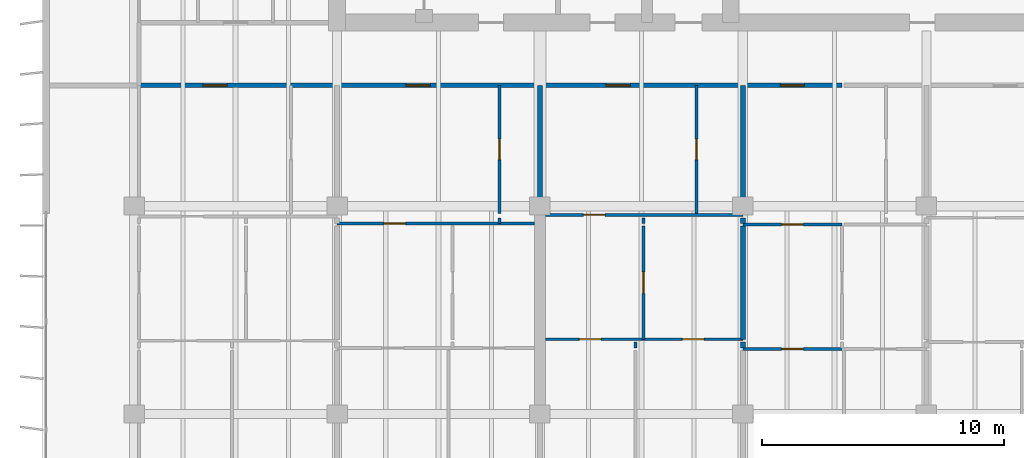
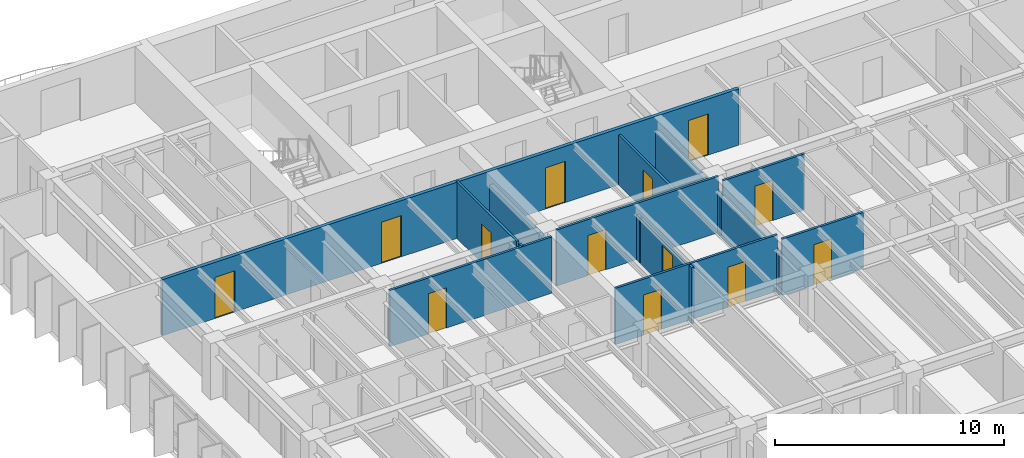
# One storey, part 9 of 19: 17 walls, 13 doors, 13 openings.
"""IFC4 building model written with IfcOpenShell, lengths in metres."""

from ifc_helpers import new_model, si_unit, direction, frame, frame_2d, origin, place, context, subcontext, project, spatial, rectangle, extrude, material, layer, layer_set, type_object, element, fill, save


model = new_model("IFC4")

# Units and contexts
model_context = context("Model", 3, precision=1e-05, world=origin(), true_north=direction((0.0, 1.0)))
body_context = subcontext(model_context, "Body", "Model", "MODEL_VIEW")
ifc_project = project(units=[si_unit("LENGTHUNIT", "METRE"), si_unit("AREAUNIT", "SQUARE_METRE"), si_unit("VOLUMEUNIT", "CUBIC_METRE"), si_unit("PLANEANGLEUNIT", "RADIAN"), si_unit("MASSUNIT", "GRAM", prefix="KILO")], contexts=[model_context])

# Site, building, storey
site_placement = place(None, origin())
site = spatial("IfcSite", under=ifc_project, at=site_placement, CompositionType="ELEMENT")
building_placement = place(site_placement, origin())
building = spatial("IfcBuilding", under=site, at=building_placement, Name="Caelmar Bay Residences", CompositionType="ELEMENT")
storey_placement = place(building_placement, frame((0.0, 0.0, 218.10009765625)))
storey = spatial("IfcBuildingStorey", under=building, at=storey_placement, Name="L61", CompositionType="ELEMENT", Elevation=218.10009765625)

# Wall, openings, doors
ifc_material_1 = material(Name="Double-stud acoustic fire-rated gypsum partition 180 mm")
ifc_layer_1 = layer(ifc_material_1, 0.179931640625)
ifc_layer_set_1 = layer_set([ifc_layer_1], Name="Double-stud acoustic fire-rated gypsum partition 180 mm")
wall_type_1 = type_object("IfcWallType", Name="W-COR-200", PredefinedType="PARTITIONING", material=ifc_layer_set_1)
wall_1_placement = place(storey_placement, frame((10.10498046875, 34.39990234375, 0.0), z_axis=(0.0, 0.0, 1.0), x_axis=(1.0, 0.0, 0.0)))
wall_1 = element("IfcWall", 1, at=wall_1_placement, inside=storey, type_object=wall_type_1, Name="L61 Partition Wall H127", PredefinedType="PARTITIONING", context=body_context, shape_type="SweptSolid", body=[
    extrude(rectangle(XDim=29.09912109375, YDim=0.179931640625, at=frame_2d((14.549560546875, 0.0))), origin(), (0.0, 0.0, 1.0), 3.0),
])
opening_1_placement = place(wall_1_placement, frame((2.6474609375, 0.0, 0.0)))
opening_1 = element("IfcOpeningElement", 2, at=opening_1_placement, cuts=wall_1, Name="Opening D-L61-120", PredefinedType="OPENING", context=body_context, shape_type="SweptSolid", body=[
    extrude(rectangle(XDim=1.0, YDim=2.199951171875, at=frame_2d((0.5, 1.10009765625))), frame((0.0, 0.099853515625, 0.0), z_axis=(0.0, -1.0, 0.0), x_axis=(1.0, 0.0, 0.0)), (0.0, 0.0, 1.0), 0.199951171875),
])
opening_2_placement = place(wall_1_placement, frame((11.055908203125, 0.0, 0.0)))
opening_2 = element("IfcOpeningElement", 3, at=opening_2_placement, cuts=wall_1, Name="Opening D-L61-127", PredefinedType="OPENING", context=body_context, shape_type="SweptSolid", body=[
    extrude(rectangle(XDim=1.0, YDim=2.199951171875, at=frame_2d((0.5, 1.10009765625))), frame((0.0, 0.099853515625, 0.0), z_axis=(0.0, -1.0, 0.0), x_axis=(1.0, 0.0, 0.0)), (0.0, 0.0, 1.0), 0.199951171875),
])
opening_3_placement = place(wall_1_placement, frame((19.333984375, 0.0, 0.0)))
opening_3 = element("IfcOpeningElement", 4, at=opening_3_placement, cuts=wall_1, Name="Opening D-L61-134", PredefinedType="OPENING", context=body_context, shape_type="SweptSolid", body=[
    extrude(rectangle(XDim=1.0, YDim=2.199951171875, at=frame_2d((0.5, 1.10009765625))), frame((0.0, 0.099853515625, 0.0), z_axis=(0.0, -1.0, 0.0), x_axis=(1.0, 0.0, 0.0)), (0.0, 0.0, 1.0), 0.199951171875),
])
opening_4_placement = place(wall_1_placement, frame((26.547119140625, 0.0, 0.0)))
opening_4 = element("IfcOpeningElement", 5, at=opening_4_placement, cuts=wall_1, Name="Opening D-L61-141", PredefinedType="OPENING", context=body_context, shape_type="SweptSolid", body=[
    extrude(rectangle(XDim=1.0, YDim=2.199951171875, at=frame_2d((0.5, 1.10009765625))), frame((0.0, 0.099853515625, 0.0), z_axis=(0.0, -1.0, 0.0), x_axis=(1.0, 0.0, 0.0)), (0.0, 0.0, 1.0), 0.199951171875),
])
ifc_material_2 = material(Name="Fire-rated steel and walnut architectural door assembly", Category="steel")
ifc_layer_2 = layer(ifc_material_2, 0.050048828125)
ifc_layer_set_2 = layer_set([ifc_layer_2], Name="Fire-rated steel and walnut architectural door assembly")
door_type_1 = type_object("IfcDoorType", Name="D-UNIT-1000", OperationType="NOTDEFINED", PredefinedType="DOOR", material=ifc_layer_set_2)
door_1_placement = place(opening_1_placement, origin())
door_1 = element("IfcDoor", 6, at=door_1_placement, inside=storey, type_object=door_type_1, Name="L61 Residence 01 Apartment Hall Door", OperationType="SINGLE_SWING_RIGHT", OverallHeight=2.199951171875, OverallWidth=1.0, PredefinedType="DOOR", context=body_context, shape_type="SweptSolid", body=[
    extrude(rectangle(XDim=1.0, YDim=2.199951171875, at=frame_2d((0.5, 1.10009765625))), frame((0.0, 0.02490234375, 0.0), z_axis=(0.0, -1.0, 0.0), x_axis=(1.0, 0.0, 0.0)), (0.0, 0.0, 1.0), 0.050048828125),
])
fill(opening_1, door_1)
door_2_placement = place(opening_2_placement, origin())
door_2 = element("IfcDoor", 7, at=door_2_placement, inside=storey, type_object=door_type_1, Name="L61 Residence 02 Apartment Hall Door", OperationType="SINGLE_SWING_LEFT", OverallHeight=2.199951171875, OverallWidth=1.0, PredefinedType="DOOR", context=body_context, shape_type="SweptSolid", body=[
    extrude(rectangle(XDim=1.0, YDim=2.199951171875, at=frame_2d((0.5, 1.10009765625))), frame((0.0, 0.02490234375, 0.0), z_axis=(0.0, -1.0, 0.0), x_axis=(1.0, 0.0, 0.0)), (0.0, 0.0, 1.0), 0.050048828125),
])
fill(opening_2, door_2)
door_3_placement = place(opening_3_placement, origin())
door_3 = element("IfcDoor", 8, at=door_3_placement, inside=storey, type_object=door_type_1, Name="L61 Residence 03 Apartment Hall Door", OperationType="SINGLE_SWING_RIGHT", OverallHeight=2.199951171875, OverallWidth=1.0, PredefinedType="DOOR", context=body_context, shape_type="SweptSolid", body=[
    extrude(rectangle(XDim=1.0, YDim=2.199951171875, at=frame_2d((0.5, 1.10009765625))), frame((0.0, 0.02490234375, 0.0), z_axis=(0.0, -1.0, 0.0), x_axis=(1.0, 0.0, 0.0)), (0.0, 0.0, 1.0), 0.050048828125),
])
fill(opening_3, door_3)
door_4_placement = place(opening_4_placement, origin())
door_4 = element("IfcDoor", 9, at=door_4_placement, inside=storey, type_object=door_type_1, Name="L61 Residence 04 Apartment Hall Door", OperationType="SINGLE_SWING_LEFT", OverallHeight=2.199951171875, OverallWidth=1.0, PredefinedType="DOOR", context=body_context, shape_type="SweptSolid", body=[
    extrude(rectangle(XDim=1.0, YDim=2.199951171875, at=frame_2d((0.5, 1.10009765625))), frame((0.0, 0.02490234375, 0.0), z_axis=(0.0, -1.0, 0.0), x_axis=(1.0, 0.0, 0.0)), (0.0, 0.0, 1.0), 0.050048828125),
])
fill(opening_4, door_4)

# Wall
ifc_material_3 = material(Name="Acoustic metal-stud gypsum partition 120 mm")
ifc_layer_3 = layer(ifc_material_3, 0.1201171875)
ifc_layer_set_3 = layer_set([ifc_layer_3], Name="Acoustic metal-stud gypsum partition 120 mm")
wall_type_2 = type_object("IfcWallType", Name="W-PRT-120", PredefinedType="PARTITIONING", material=ifc_layer_set_3)
wall_2_placement = place(storey_placement, frame((25.02197265625, 28.679931640625, 0.0), z_axis=(0.0, 0.0, 1.0), x_axis=(0.0, 1.0, 0.0)))
element("IfcWall", 10, at=wall_2_placement, inside=storey, type_object=wall_type_2, Name="L61 Partition Wall V028", PredefinedType="PARTITIONING", context=body_context, shape_type="SweptSolid", body=[
    extrude(rectangle(XDim=0.239990234375, YDim=0.1201171875, at=frame_2d((0.1201171875, 0.0))), origin(), (0.0, 0.0, 1.0), 3.0),
])

# Wall, opening, door
wall_3_placement = place(storey_placement, frame((25.02197265625, 29.10009765625, 0.0), z_axis=(0.0, 0.0, 1.0), x_axis=(0.0, 1.0, 0.0)))
wall_3 = element("IfcWall", 11, at=wall_3_placement, inside=storey, type_object=wall_type_2, Name="L61 Partition Wall V029", PredefinedType="PARTITIONING", context=body_context, shape_type="SweptSolid", body=[
    extrude(rectangle(XDim=5.2998046875, YDim=0.1201171875, at=frame_2d((2.64990234375, 0.0))), origin(), (0.0, 0.0, 1.0), 3.0),
])
opening_5_placement = place(wall_3_placement, frame((2.22509765625, 0.0, 0.0)))
opening_5 = element("IfcOpeningElement", 12, at=opening_5_placement, cuts=wall_3, Name="Opening D-L61-128", PredefinedType="OPENING", context=body_context, shape_type="SweptSolid", body=[
    extrude(rectangle(XDim=0.85009765625, YDim=2.10009765625, at=frame_2d((0.425048828125, 1.050048828125))), frame((0.0, 0.070068359375, 0.0), z_axis=(0.0, -1.0, 0.0), x_axis=(1.0, 0.0, 0.0)), (0.0, 0.0, 1.0), 0.14013671875),
])
ifc_material_4 = material(Name="Solid walnut timber interior door leaf and frame", Category="wood")
ifc_layer_4 = layer(ifc_material_4, 0.050048828125)
ifc_layer_set_4 = layer_set([ifc_layer_4], Name="Solid walnut timber interior door leaf and frame")
door_type_2 = type_object("IfcDoorType", Name="D-BATH-850", OperationType="NOTDEFINED", PredefinedType="DOOR", material=ifc_layer_set_4)
door_5_placement = place(opening_5_placement, origin())
door_5 = element("IfcDoor", 13, at=door_5_placement, inside=storey, type_object=door_type_2, Name="L61 Residence 02 Bathroom Door", OperationType="SINGLE_SWING_RIGHT", OverallHeight=2.10009765625, OverallWidth=0.85009765625, PredefinedType="DOOR", context=body_context, shape_type="SweptSolid", body=[
    extrude(rectangle(XDim=0.85009765625, YDim=2.10009765625, at=frame_2d((0.425048828125, 1.050048828125))), frame((0.0, 0.02490234375, 0.0), z_axis=(0.0, -1.0, 0.0), x_axis=(1.0, 0.0, 0.0)), (0.0, 0.0, 1.0), 0.050048828125),
])
fill(opening_5, door_5)

# Wall
wall_4_placement = place(storey_placement, frame((30.64794921875, 23.530029296875, 0.0), z_axis=(0.0, 0.0, 1.0), x_axis=(0.0, 1.0, 0.0)))
element("IfcWall", 14, at=wall_4_placement, inside=storey, type_object=wall_type_2, Name="L61 Partition Wall V038", PredefinedType="PARTITIONING", context=body_context, shape_type="SweptSolid", body=[
    extrude(rectangle(XDim=0.239990234375, YDim=0.1201171875, at=frame_2d((0.1201171875, 0.0))), origin(), (0.0, 0.0, 1.0), 3.0),
])

# Wall, opening, door
wall_5_placement = place(storey_placement, frame((30.986083984375, 23.889892578125, 0.0), z_axis=(0.0, 0.0, 1.0), x_axis=(0.0, 1.0, 0.0)))
wall_5 = element("IfcWall", 15, at=wall_5_placement, inside=storey, type_object=wall_type_2, Name="L61 Partition Wall V039", PredefinedType="PARTITIONING", context=body_context, shape_type="SweptSolid", body=[
    extrude(rectangle(XDim=4.690185546875, YDim=0.1201171875, at=frame_2d((2.34521484375, 0.0))), origin(), (0.0, 0.0, 1.0), 2.448974609375),
])
opening_6_placement = place(wall_5_placement, frame((1.89501953125, 0.0, 0.0)))
opening_6 = element("IfcOpeningElement", 16, at=opening_6_placement, cuts=wall_5, Name="Opening D-L61-137", PredefinedType="OPENING", context=body_context, shape_type="SweptSolid", body=[
    extrude(rectangle(XDim=0.89990234375, YDim=2.14990234375, at=frame_2d((0.449951171875, 1.074951171875))), frame((0.0, 0.070068359375, 0.0), z_axis=(0.0, -1.0, 0.0), x_axis=(1.0, 0.0, 0.0)), (0.0, 0.0, 1.0), 0.14013671875),
])
ifc_layer_5 = layer(ifc_material_4, 0.050048828125)
ifc_layer_set_5 = layer_set([ifc_layer_5], Name="Solid walnut timber interior door leaf and frame")
door_type_3 = type_object("IfcDoorType", Name="D-ROOM-900", OperationType="NOTDEFINED", PredefinedType="DOOR", material=ifc_layer_set_5)
door_6_placement = place(opening_6_placement, origin())
door_6 = element("IfcDoor", 17, at=door_6_placement, inside=storey, type_object=door_type_3, Name="L61 Residence 03 Curator Office Door", OperationType="SINGLE_SWING_LEFT", OverallHeight=2.14990234375, OverallWidth=0.89990234375, PredefinedType="DOOR", context=body_context, shape_type="SweptSolid", body=[
    extrude(rectangle(XDim=0.89990234375, YDim=2.14990234375, at=frame_2d((0.449951171875, 1.074951171875))), frame((0.0, 0.02490234375, 0.0), z_axis=(0.0, -1.0, 0.0), x_axis=(1.0, 0.0, 0.0)), (0.0, 0.0, 1.0), 0.050048828125),
])
fill(opening_6, door_6)

# Wall
wall_6_placement = place(storey_placement, frame((30.986083984375, 28.679931640625, 0.0), z_axis=(0.0, 0.0, 1.0), x_axis=(0.0, 1.0, 0.0)))
element("IfcWall", 18, at=wall_6_placement, inside=storey, type_object=wall_type_2, Name="L61 Partition Wall V040", PredefinedType="PARTITIONING", context=body_context, shape_type="SweptSolid", body=[
    extrude(rectangle(XDim=0.239990234375, YDim=0.1201171875, at=frame_2d((0.1201171875, 0.0))), origin(), (0.0, 0.0, 1.0), 2.448974609375),
])

# Wall, opening, door
wall_7_placement = place(storey_placement, frame((33.177978515625, 29.10009765625, 0.0), z_axis=(0.0, 0.0, 1.0), x_axis=(0.0, 1.0, 0.0)))
wall_7 = element("IfcWall", 19, at=wall_7_placement, inside=storey, type_object=wall_type_2, Name="L61 Partition Wall V041", PredefinedType="PARTITIONING", context=body_context, shape_type="SweptSolid", body=[
    extrude(rectangle(XDim=5.2998046875, YDim=0.1201171875, at=frame_2d((2.64990234375, 0.0))), origin(), (0.0, 0.0, 1.0), 2.6748046875),
])
opening_7_placement = place(wall_7_placement, frame((2.22509765625, 0.0, 0.0)))
opening_7 = element("IfcOpeningElement", 20, at=opening_7_placement, cuts=wall_7, Name="Opening D-L61-135", PredefinedType="OPENING", context=body_context, shape_type="SweptSolid", body=[
    extrude(rectangle(XDim=0.85009765625, YDim=2.10009765625, at=frame_2d((0.425048828125, 1.050048828125))), frame((0.0, 0.070068359375, 0.0), z_axis=(0.0, -1.0, 0.0), x_axis=(1.0, 0.0, 0.0)), (0.0, 0.0, 1.0), 0.14013671875),
])
door_7_placement = place(opening_7_placement, origin())
door_7 = element("IfcDoor", 21, at=door_7_placement, inside=storey, type_object=door_type_2, Name="L61 Residence 03 Bathroom Door", OperationType="SINGLE_SWING_LEFT", OverallHeight=2.10009765625, OverallWidth=0.85009765625, PredefinedType="DOOR", context=body_context, shape_type="SweptSolid", body=[
    extrude(rectangle(XDim=0.85009765625, YDim=2.10009765625, at=frame_2d((0.425048828125, 1.050048828125))), frame((0.0, 0.02490234375, 0.0), z_axis=(0.0, -1.0, 0.0), x_axis=(1.0, 0.0, 0.0)), (0.0, 0.0, 1.0), 0.050048828125),
])
fill(opening_7, door_7)

wall_8_placement = place(storey_placement, frame((35.10009765625, 23.489990234375, 0.0), z_axis=(0.0, 0.0, 1.0), x_axis=(1.0, 0.0, 0.0)))
wall_8 = element("IfcWall", 22, at=wall_8_placement, inside=storey, type_object=wall_type_2, Name="L61 Partition Wall H111", PredefinedType="PARTITIONING", context=body_context, shape_type="SweptSolid", body=[
    extrude(rectangle(XDim=4.10400390625, YDim=0.1201171875, at=frame_2d((2.052001953125, 0.0))), origin(), (0.0, 0.0, 1.0), 3.0),
])
opening_8_placement = place(wall_8_placement, frame((1.60205078125, 0.0, 0.0)))
opening_8 = element("IfcOpeningElement", 23, at=opening_8_placement, cuts=wall_8, Name="Opening D-L61-145", PredefinedType="OPENING", context=body_context, shape_type="SweptSolid", body=[
    extrude(rectangle(XDim=0.89990234375, YDim=2.14990234375, at=frame_2d((0.449951171875, 1.074951171875))), frame((0.0, 0.070068359375, 0.0), z_axis=(0.0, -1.0, 0.0), x_axis=(1.0, 0.0, 0.0)), (0.0, 0.0, 1.0), 0.14013671875),
])
door_8_placement = place(opening_8_placement, origin())
door_8 = element("IfcDoor", 24, at=door_8_placement, inside=storey, type_object=door_type_3, Name="L61 Residence 04 Living Room Door", OperationType="SINGLE_SWING_LEFT", OverallHeight=2.14990234375, OverallWidth=0.89990234375, PredefinedType="DOOR", context=body_context, shape_type="SweptSolid", body=[
    extrude(rectangle(XDim=0.89990234375, YDim=2.14990234375, at=frame_2d((0.449951171875, 1.074951171875))), frame((0.0, 0.02490234375, 0.0), z_axis=(0.0, -1.0, 0.0), x_axis=(1.0, 0.0, 0.0)), (0.0, 0.0, 1.0), 0.050048828125),
])
fill(opening_8, door_8)

# Wall, openings, doors
wall_9_placement = place(storey_placement, frame((26.919921875, 23.889892578125, 0.0), z_axis=(0.0, 0.0, 1.0), x_axis=(1.0, 0.0, 0.0)))
wall_9 = element("IfcWall", 25, at=wall_9_placement, inside=storey, type_object=wall_type_2, Name="L61 Partition Wall H117", PredefinedType="PARTITIONING", context=body_context, shape_type="SweptSolid", body=[
    extrude(rectangle(XDim=8.18017578125, YDim=0.1201171875, at=frame_2d((4.090087890625, 0.0))), origin(), (0.0, 0.0, 1.0), 3.0),
])
opening_9_placement = place(wall_9_placement, frame((1.4140625, 0.0, 0.0)))
opening_9 = element("IfcOpeningElement", 26, at=opening_9_placement, cuts=wall_9, Name="Opening D-L61-138", PredefinedType="OPENING", context=body_context, shape_type="SweptSolid", body=[
    extrude(rectangle(XDim=0.89990234375, YDim=2.14990234375, at=frame_2d((0.449951171875, 1.074951171875))), frame((0.0, 0.070068359375, 0.0), z_axis=(0.0, -1.0, 0.0), x_axis=(1.0, 0.0, 0.0)), (0.0, 0.0, 1.0), 0.14013671875),
])
opening_10_placement = place(wall_9_placement, frame((5.673095703125, 0.0, 0.0)))
opening_10 = element("IfcOpeningElement", 27, at=opening_10_placement, cuts=wall_9, Name="Opening D-L61-139", PredefinedType="OPENING", context=body_context, shape_type="SweptSolid", body=[
    extrude(rectangle(XDim=0.89990234375, YDim=2.14990234375, at=frame_2d((0.449951171875, 1.074951171875))), frame((0.0, 0.070068359375, 0.0), z_axis=(0.0, -1.0, 0.0), x_axis=(1.0, 0.0, 0.0)), (0.0, 0.0, 1.0), 0.14013671875),
])
door_9_placement = place(opening_9_placement, origin())
door_9 = element("IfcDoor", 28, at=door_9_placement, inside=storey, type_object=door_type_3, Name="L61 Residence 03 Living Room Door", OperationType="SINGLE_SWING_RIGHT", OverallHeight=2.14990234375, OverallWidth=0.89990234375, PredefinedType="DOOR", context=body_context, shape_type="SweptSolid", body=[
    extrude(rectangle(XDim=0.89990234375, YDim=2.14990234375, at=frame_2d((0.449951171875, 1.074951171875))), frame((0.0, 0.02490234375, 0.0), z_axis=(0.0, -1.0, 0.0), x_axis=(1.0, 0.0, 0.0)), (0.0, 0.0, 1.0), 0.050048828125),
])
fill(opening_9, door_9)
door_10_placement = place(opening_10_placement, origin())
door_10 = element("IfcDoor", 29, at=door_10_placement, inside=storey, type_object=door_type_3, Name="L61 Residence 03 Penthouse Sitting Room Door", OperationType="SINGLE_SWING_LEFT", OverallHeight=2.14990234375, OverallWidth=0.89990234375, PredefinedType="DOOR", context=body_context, shape_type="SweptSolid", body=[
    extrude(rectangle(XDim=0.89990234375, YDim=2.14990234375, at=frame_2d((0.449951171875, 1.074951171875))), frame((0.0, 0.02490234375, 0.0), z_axis=(0.0, -1.0, 0.0), x_axis=(1.0, 0.0, 0.0)), (0.0, 0.0, 1.0), 0.050048828125),
])
fill(opening_10, door_10)

# Wall, opening, door
wall_10_placement = place(storey_placement, frame((35.10009765625, 28.639892578125, 0.0), z_axis=(0.0, 0.0, 1.0), x_axis=(1.0, 0.0, 0.0)))
wall_10 = element("IfcWall", 30, at=wall_10_placement, inside=storey, type_object=wall_type_2, Name="L61 Partition Wall H119", PredefinedType="PARTITIONING", context=body_context, shape_type="SweptSolid", body=[
    extrude(rectangle(XDim=4.10400390625, YDim=0.1201171875, at=frame_2d((2.052001953125, 0.0))), origin(), (0.0, 0.0, 1.0), 3.0),
])
opening_11_placement = place(wall_10_placement, frame((1.60205078125, 0.0, 0.0)))
opening_11 = element("IfcOpeningElement", 31, at=opening_11_placement, cuts=wall_10, Name="Opening D-L61-143", PredefinedType="OPENING", context=body_context, shape_type="SweptSolid", body=[
    extrude(rectangle(XDim=0.89990234375, YDim=2.14990234375, at=frame_2d((0.449951171875, 1.074951171875))), frame((0.0, 0.070068359375, 0.0), z_axis=(0.0, -1.0, 0.0), x_axis=(1.0, 0.0, 0.0)), (0.0, 0.0, 1.0), 0.14013671875),
])
door_11_placement = place(opening_11_placement, origin())
door_11 = element("IfcDoor", 32, at=door_11_placement, inside=storey, type_object=door_type_3, Name="L61 Residence 04 Kitchen Door", OperationType="SINGLE_SWING_LEFT", OverallHeight=2.14990234375, OverallWidth=0.89990234375, PredefinedType="DOOR", context=body_context, shape_type="SweptSolid", body=[
    extrude(rectangle(XDim=0.89990234375, YDim=2.14990234375, at=frame_2d((0.449951171875, 1.074951171875))), frame((0.0, 0.02490234375, 0.0), z_axis=(0.0, -1.0, 0.0), x_axis=(1.0, 0.0, 0.0)), (0.0, 0.0, 1.0), 0.050048828125),
])
fill(opening_11, door_11)

wall_11_placement = place(storey_placement, frame((18.300048828125, 28.679931640625, 0.0), z_axis=(0.0, 0.0, 1.0), x_axis=(1.0, 0.0, 0.0)))
wall_11 = element("IfcWall", 33, at=wall_11_placement, inside=storey, type_object=wall_type_2, Name="L61 Partition Wall H121", PredefinedType="PARTITIONING", context=body_context, shape_type="SweptSolid", body=[
    extrude(rectangle(XDim=8.179931640625, YDim=0.1201171875, at=frame_2d((4.08984375, 0.0))), origin(), (0.0, 0.0, 1.0), 3.0),
])
opening_12_placement = place(wall_11_placement, frame((1.943115234375, 0.0, 0.0)))
opening_12 = element("IfcOpeningElement", 34, at=opening_12_placement, cuts=wall_11, Name="Opening D-L61-129", PredefinedType="OPENING", context=body_context, shape_type="SweptSolid", body=[
    extrude(rectangle(XDim=0.89990234375, YDim=2.14990234375, at=frame_2d((0.449951171875, 1.074951171875))), frame((0.0, 0.070068359375, 0.0), z_axis=(0.0, -1.0, 0.0), x_axis=(1.0, 0.0, 0.0)), (0.0, 0.0, 1.0), 0.14013671875),
])
door_12_placement = place(opening_12_placement, origin())
door_12 = element("IfcDoor", 35, at=door_12_placement, inside=storey, type_object=door_type_3, Name="L61 Residence 02 Kitchen Door", OperationType="SINGLE_SWING_LEFT", OverallHeight=2.14990234375, OverallWidth=0.89990234375, PredefinedType="DOOR", context=body_context, shape_type="SweptSolid", body=[
    extrude(rectangle(XDim=0.89990234375, YDim=2.14990234375, at=frame_2d((0.449951171875, 1.074951171875))), frame((0.0, 0.02490234375, 0.0), z_axis=(0.0, -1.0, 0.0), x_axis=(1.0, 0.0, 0.0)), (0.0, 0.0, 1.0), 0.050048828125),
])
fill(opening_12, door_12)

wall_12_placement = place(storey_placement, frame((26.919921875, 29.0400390625, 0.0), z_axis=(0.0, 0.0, 1.0), x_axis=(1.0, 0.0, 0.0)))
wall_12 = element("IfcWall", 36, at=wall_12_placement, inside=storey, type_object=wall_type_2, Name="L61 Partition Wall H125", PredefinedType="PARTITIONING", context=body_context, shape_type="SweptSolid", body=[
    extrude(rectangle(XDim=8.18017578125, YDim=0.1201171875, at=frame_2d((4.090087890625, 0.0))), origin(), (0.0, 0.0, 1.0), 3.0),
])
opening_13_placement = place(wall_12_placement, frame((1.5830078125, 0.0, 0.0)))
opening_13 = element("IfcOpeningElement", 37, at=opening_13_placement, cuts=wall_12, Name="Opening D-L61-136", PredefinedType="OPENING", context=body_context, shape_type="SweptSolid", body=[
    extrude(rectangle(XDim=0.89990234375, YDim=2.14990234375, at=frame_2d((0.449951171875, 1.074951171875))), frame((0.0, 0.070068359375, 0.0), z_axis=(0.0, -1.0, 0.0), x_axis=(1.0, 0.0, 0.0)), (0.0, 0.0, 1.0), 0.14013671875),
])
door_13_placement = place(opening_13_placement, origin())
door_13 = element("IfcDoor", 38, at=door_13_placement, inside=storey, type_object=door_type_3, Name="L61 Residence 03 Kitchen Door", OperationType="SINGLE_SWING_RIGHT", OverallHeight=2.14990234375, OverallWidth=0.89990234375, PredefinedType="DOOR", context=body_context, shape_type="SweptSolid", body=[
    extrude(rectangle(XDim=0.89990234375, YDim=2.14990234375, at=frame_2d((0.449951171875, 1.074951171875))), frame((0.0, 0.02490234375, 0.0), z_axis=(0.0, -1.0, 0.0), x_axis=(1.0, 0.0, 0.0)), (0.0, 0.0, 1.0), 0.050048828125),
])
fill(opening_13, door_13)

# Walls
ifc_material_5 = material(Name="Acoustic twin-stud fire-rated inter-tenancy partition 200 mm")
ifc_layer_6 = layer(ifc_material_5, 0.199951171875)
ifc_layer_set_6 = layer_set([ifc_layer_6], Name="Acoustic twin-stud fire-rated inter-tenancy partition 200 mm")
wall_type_3 = type_object("IfcWallType", Name="W-PTY-200", PredefinedType="PARTITIONING", material=ifc_layer_set_6)
wall_13_placement = place(storey_placement, frame((26.699951171875, 29.405029296875, 0.0), z_axis=(0.0, 0.0, 1.0), x_axis=(0.0, 1.0, 0.0)))
element("IfcWall", 39, at=wall_13_placement, inside=storey, type_object=wall_type_3, Name="L61 Partition Wall V033", PredefinedType="PARTITIONING", context=body_context, shape_type="SweptSolid", body=[
    extrude(rectangle(XDim=4.994873046875, YDim=0.199951171875, at=frame_2d((2.49755859375, 0.0))), origin(), (0.0, 0.0, 1.0), 2.284912109375),
])
wall_14_placement = place(storey_placement, frame((35.10009765625, 23.530029296875, 0.0), z_axis=(0.0, 0.0, 1.0), x_axis=(0.0, 1.0, 0.0)))
element("IfcWall", 40, at=wall_14_placement, inside=storey, type_object=wall_type_3, Name="L61 Partition Wall V044", PredefinedType="PARTITIONING", context=body_context, shape_type="SweptSolid", body=[
    extrude(rectangle(XDim=0.239990234375, YDim=0.199951171875, at=frame_2d((0.1201171875, 0.0))), origin(), (0.0, 0.0, 1.0), 2.212890625),
])
wall_15_placement = place(storey_placement, frame((35.10009765625, 23.889892578125, 0.0), z_axis=(0.0, 0.0, 1.0), x_axis=(0.0, 1.0, 0.0)))
element("IfcWall", 41, at=wall_15_placement, inside=storey, type_object=wall_type_3, Name="L61 Partition Wall V045", PredefinedType="PARTITIONING", context=body_context, shape_type="SweptSolid", body=[
    extrude(rectangle(XDim=4.690185546875, YDim=0.199951171875, at=frame_2d((2.34521484375, 0.0))), origin(), (0.0, 0.0, 1.0), 2.212890625),
])
wall_16_placement = place(storey_placement, frame((35.10009765625, 28.679931640625, 0.0), z_axis=(0.0, 0.0, 1.0), x_axis=(0.0, 1.0, 0.0)))
element("IfcWall", 42, at=wall_16_placement, inside=storey, type_object=wall_type_3, Name="L61 Partition Wall V046", PredefinedType="PARTITIONING", context=body_context, shape_type="SweptSolid", body=[
    extrude(rectangle(XDim=0.239990234375, YDim=0.199951171875, at=frame_2d((0.1201171875, 0.0))), origin(), (0.0, 0.0, 1.0), 2.212890625),
])
wall_17_placement = place(storey_placement, frame((35.10009765625, 29.10009765625, 0.0), z_axis=(0.0, 0.0, 1.0), x_axis=(0.0, 1.0, 0.0)))
element("IfcWall", 43, at=wall_17_placement, inside=storey, type_object=wall_type_3, Name="L61 Partition Wall V047", PredefinedType="PARTITIONING", context=body_context, shape_type="SweptSolid", body=[
    extrude(rectangle(XDim=5.2998046875, YDim=0.199951171875, at=frame_2d((2.64990234375, 0.0))), origin(), (0.0, 0.0, 1.0), 2.212890625),
])

save(model, "model.ifc")
